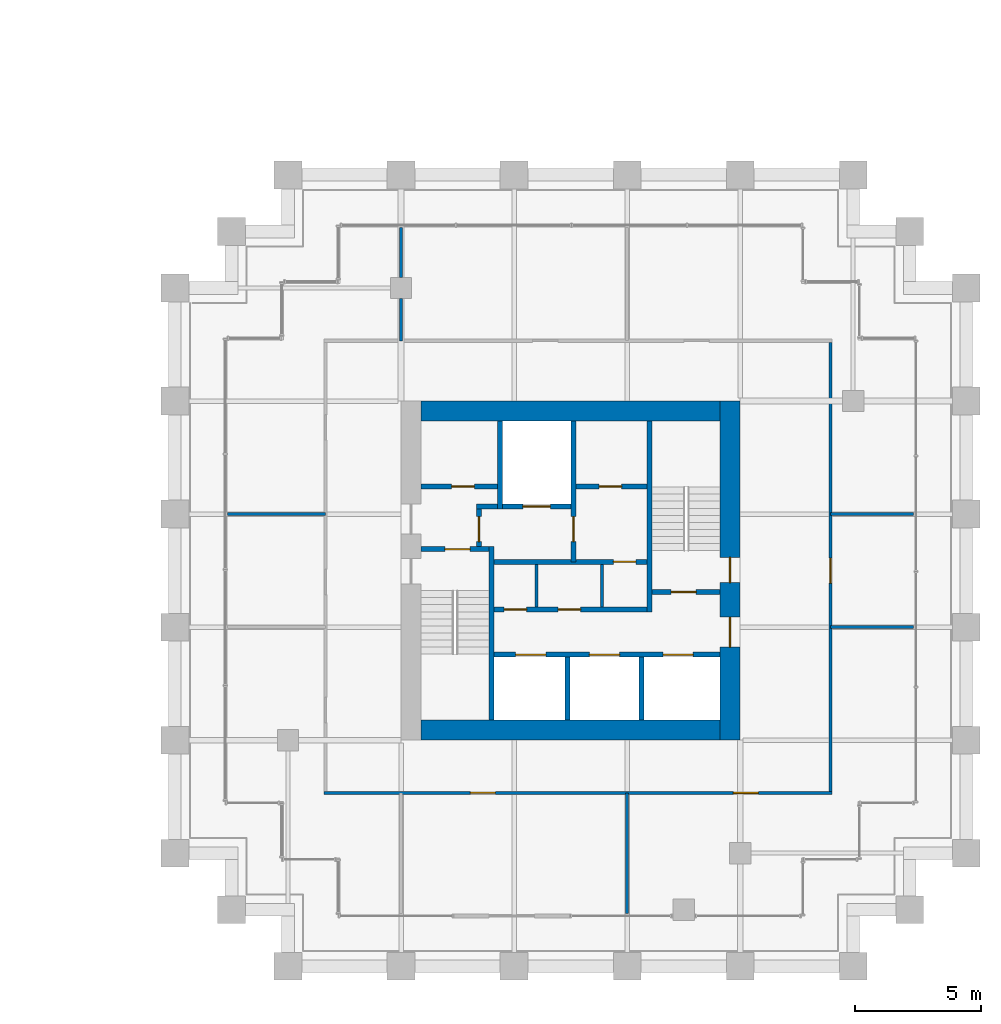
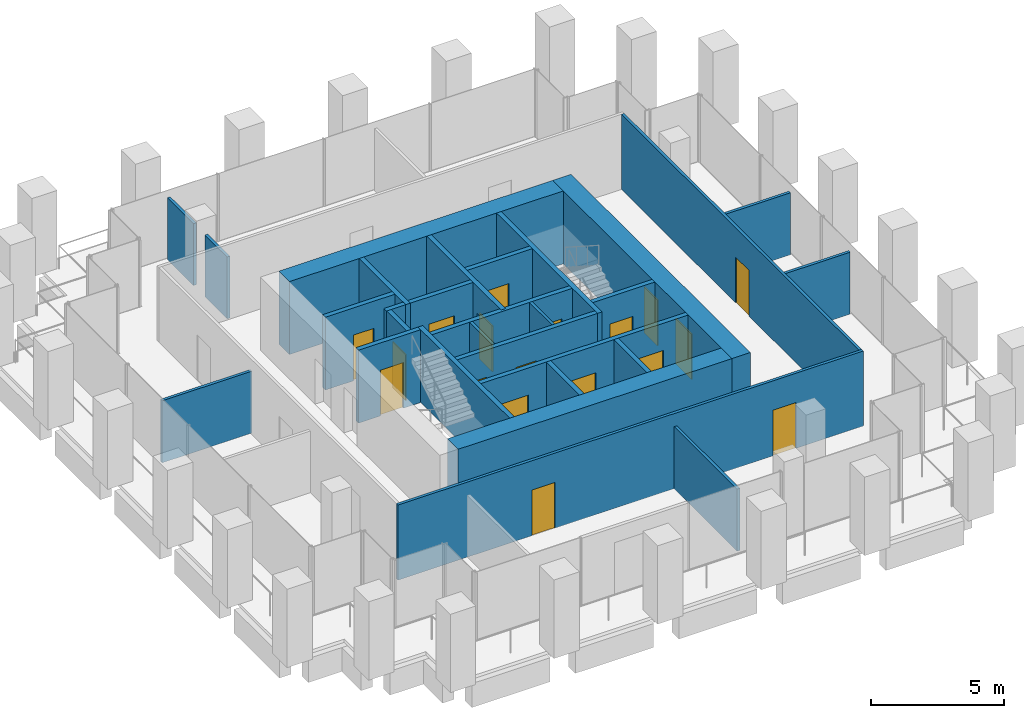
# One storey, part 53 of 56: 29 walls, 18 doors, 18 openings.
"""IFC4 building model written with IfcOpenShell, lengths in metres."""

from ifc_helpers import new_model, si_unit, direction, frame, frame_2d, origin, place, context, subcontext, project, spatial, rectangle, extrude, material, layer, layer_set, type_object, element, fill, save


model = new_model("IFC4")

# Units and contexts
model_context = context("Model", 3, precision=1e-05, world=origin(), true_north=direction((0.0, 1.0)))
body_context = subcontext(model_context, "Body", "Model", "MODEL_VIEW")
ifc_project = project(units=[si_unit("LENGTHUNIT", "METRE"), si_unit("AREAUNIT", "SQUARE_METRE"), si_unit("VOLUMEUNIT", "CUBIC_METRE"), si_unit("PLANEANGLEUNIT", "RADIAN"), si_unit("MASSUNIT", "GRAM", prefix="KILO")], contexts=[model_context])

# Site, building, storey
site_placement = place(None, origin())
site = spatial("IfcSite", under=ifc_project, at=site_placement, CompositionType="ELEMENT")
building_placement = place(site_placement, origin())
building = spatial("IfcBuilding", under=site, at=building_placement, Name="Altepetl Exchange Towers", CompositionType="ELEMENT")
storey_placement = place(building_placement, frame((0.0, 0.0, 69.0)))
storey = spatial("IfcBuildingStorey", under=building, at=storey_placement, Name="L16", CompositionType="ELEMENT", Elevation=69.0)

# Wall, openings, doors
ifc_material_1 = material(Name="Concrete C70/85", Category="concrete")
ifc_layer_1 = layer(ifc_material_1, 0.800048828125)
ifc_layer_set_1 = layer_set([ifc_layer_1], Name="Concrete C70/85")
wall_type_1 = type_object("IfcWallType", Name="Core wall 800 reinforced concrete", PredefinedType="SHEAR", material=ifc_layer_set_1)
wall_1_placement = place(storey_placement, frame((116.60009765625, 36.0, 0.0), z_axis=(0.0, 0.0, 1.0), x_axis=(0.0, 1.0, 0.0)))
wall_1 = element("IfcWall", 1, at=wall_1_placement, inside=storey, type_object=wall_type_1, Name="wall:B:L16:K-coreE", PredefinedType="SHEAR", context=body_context, shape_type="SweptSolid", body=[
    extrude(rectangle(XDim=13.5, YDim=0.800048828125, at=frame_2d((6.75, 0.0))), origin(), (0.0, 0.0, 1.0), 3.35009765625),
])
opening_1_placement = place(wall_1_placement, frame((3.699951171875, 0.0, 0.0)))
opening_1 = element("IfcOpeningElement", 2, at=opening_1_placement, cuts=wall_1, Name="Opening L16.B61", PredefinedType="OPENING", context=body_context, shape_type="SweptSolid", body=[
    extrude(rectangle(XDim=1.199951171875, YDim=2.10009765625, at=frame_2d((0.60009765625, 1.050048828125))), frame((0.0, 0.41015625, 0.0), z_axis=(0.0, -1.0, 0.0), x_axis=(1.0, 0.0, 0.0)), (0.0, 0.0, 1.0), 0.820068359375),
])
opening_2_placement = place(wall_1_placement, frame((6.27490234375, 0.0, 0.0)))
opening_2 = element("IfcOpeningElement", 3, at=opening_2_placement, cuts=wall_1, Name="Opening L16.B65", PredefinedType="OPENING", context=body_context, shape_type="SweptSolid", body=[
    extrude(rectangle(XDim=1.0, YDim=2.10009765625, at=frame_2d((0.5, 1.050048828125))), frame((0.0, 0.41015625, 0.0), z_axis=(0.0, -1.0, 0.0), x_axis=(1.0, 0.0, 0.0)), (0.0, 0.0, 1.0), 0.820068359375),
])
ifc_material_2 = material(Name="Steel and timber fire door", Category="steel")
door_type_1 = type_object("IfcDoorType", Name="Fire door 1000 x 2100 stair and lobby", OperationType="SINGLE_SWING_LEFT", PredefinedType="DOOR", material=ifc_material_2)
door_1_placement = place(opening_2_placement, origin())
door_1 = element("IfcDoor", 4, at=door_1_placement, inside=storey, type_object=door_type_1, Name="door:B:L16:K-dS2x", OperationType="SINGLE_SWING_LEFT", OverallHeight=2.10009765625, OverallWidth=1.0, PredefinedType="DOOR", context=body_context, shape_type="SweptSolid", body=[
    extrude(rectangle(XDim=1.0, YDim=2.10009765625, at=frame_2d((0.5, 1.050048828125))), frame((0.0, 0.02490234375, 0.0), z_axis=(0.0, -1.0, 0.0), x_axis=(1.0, 0.0, 0.0)), (0.0, 0.0, 1.0), 0.050048828125),
])
fill(opening_2, door_1)
door_type_2 = type_object("IfcDoorType", Name="Fire door 1200 x 2100 lobby entry", OperationType="SINGLE_SWING_LEFT", PredefinedType="DOOR", material=ifc_material_2)
door_2_placement = place(opening_1_placement, origin())
door_2 = element("IfcDoor", 5, at=door_2_placement, inside=storey, type_object=door_type_2, Name="door:B:L16:K-dLSE", OperationType="SINGLE_SWING_RIGHT", OverallHeight=2.10009765625, OverallWidth=1.199951171875, PredefinedType="DOOR", context=body_context, shape_type="SweptSolid", body=[
    extrude(rectangle(XDim=1.199951171875, YDim=2.10009765625, at=frame_2d((0.60009765625, 1.050048828125))), frame((0.0, 0.02490234375, 0.0), z_axis=(0.0, -1.0, 0.0), x_axis=(1.0, 0.0, 0.0)), (0.0, 0.0, 1.0), 0.050048828125),
])
fill(opening_1, door_2)

# Walls
for number, where, name in (
    (6, (104.300048828125, 49.10009765625, 0.0), "wall:B:L16:K-coreN"),
    (7, (104.300048828125, 36.39990234375, 0.0), "wall:B:L16:K-coreS"),
):
    element("IfcWall", number, at=place(storey_placement, frame(where)), inside=storey, type_object=wall_type_1, Name=name, PredefinedType="SHEAR", context=body_context, shape_type="SweptSolid", body=[
        extrude(rectangle(XDim=11.89990234375, YDim=0.800048828125, at=frame_2d((5.949951171875, 0.0))), origin(), (0.0, 0.0, 1.0), 3.35009765625),
    ])
ifc_material_3 = material(Name="Concrete blockwork", Category="masonry")
ifc_layer_2 = layer(ifc_material_3, 0.199951171875)
ifc_layer_set_2 = layer_set([ifc_layer_2], Name="Concrete blockwork")
wall_type_2 = type_object("IfcWallType", Name="Lobby wall 200 blockwork", PredefinedType="PARTITIONING", material=ifc_layer_set_2)
wall_2_placement = place(storey_placement, frame((106.5, 45.300048828125, 0.0)))
element("IfcWall", 8, at=wall_2_placement, inside=storey, type_object=wall_type_2, Name="wall:B:L16:K-ffNw", PredefinedType="PARTITIONING", context=body_context, shape_type="SweptSolid", body=[
    extrude(rectangle(XDim=0.833251953125, YDim=0.199951171875, at=frame_2d((0.41650390625, 0.0))), origin(), (0.0, 0.0, 1.0), 3.35009765625),
])

# Wall, opening, door
wall_3_placement = place(storey_placement, frame((106.60009765625, 43.699951171875, 0.0), z_axis=(0.0, 0.0, 1.0), x_axis=(0.0, 1.0, 0.0)))
wall_3 = element("IfcWall", 9, at=wall_3_placement, inside=storey, type_object=wall_type_2, Name="wall:B:L16:K-ffW", PredefinedType="PARTITIONING", context=body_context, shape_type="SweptSolid", body=[
    extrude(rectangle(XDim=1.5, YDim=0.199951171875, at=frame_2d((0.75, 0.0))), origin(), (0.0, 0.0, 1.0), 3.35009765625),
])
opening_3_placement = place(wall_3_placement, frame((0.199951171875, 0.0, 0.0)))
opening_3 = element("IfcOpeningElement", 10, at=opening_3_placement, cuts=wall_3, Name="Opening L16.B67", PredefinedType="OPENING", context=body_context, shape_type="SweptSolid", body=[
    extrude(rectangle(XDim=1.0, YDim=2.10009765625, at=frame_2d((0.5, 1.050048828125))), frame((0.0, 0.10986328125, 0.0), z_axis=(0.0, -1.0, 0.0), x_axis=(1.0, 0.0, 0.0)), (0.0, 0.0, 1.0), 0.219970703125),
])
door_3_placement = place(opening_3_placement, frame((1.0, 0.0, 0.0), x_axis=(-1.0, 0.0, 0.0)))
door_3 = element("IfcDoor", 11, at=door_3_placement, inside=storey, type_object=door_type_1, Name="door:B:L16:K-dffW", OperationType="SINGLE_SWING_LEFT", OverallHeight=2.10009765625, OverallWidth=1.0, PredefinedType="DOOR", context=body_context, shape_type="SweptSolid", body=[
    extrude(rectangle(XDim=1.0, YDim=2.10009765625, at=frame_2d((0.5, 1.050048828125))), frame((0.0, 0.02490234375, 0.0), z_axis=(0.0, -1.0, 0.0), x_axis=(1.0, 0.0, 0.0)), (0.0, 0.0, 1.0), 0.050048828125),
])
fill(opening_3, door_3)

wall_4_placement = place(storey_placement, frame((107.199951171875, 43.10009765625, 0.0)))
wall_4 = element("IfcWall", 12, at=wall_4_placement, inside=storey, type_object=wall_type_2, Name="wall:B:L16:K-zoneN", PredefinedType="PARTITIONING", context=body_context, shape_type="SweptSolid", body=[
    extrude(rectangle(XDim=6.10009765625, YDim=0.199951171875, at=frame_2d((3.050048828125, 0.0))), origin(), (0.0, 0.0, 1.0), 3.35009765625),
])
opening_4_placement = place(wall_4_placement, frame((4.75, 0.0, 0.0)))
opening_4 = element("IfcOpeningElement", 13, at=opening_4_placement, cuts=wall_4, Name="Opening L16.B72", PredefinedType="OPENING", context=body_context, shape_type="SweptSolid", body=[
    extrude(rectangle(XDim=0.89990234375, YDim=2.10009765625, at=frame_2d((0.449951171875, 1.050048828125))), frame((0.0, 0.10986328125, 0.0), z_axis=(0.0, -1.0, 0.0), x_axis=(1.0, 0.0, 0.0)), (0.0, 0.0, 1.0), 0.219970703125),
])
door_type_3 = type_object("IfcDoorType", Name="Fire door 900 x 2100 service room", OperationType="SINGLE_SWING_LEFT", PredefinedType="DOOR", material=ifc_material_2)
door_4_placement = place(opening_4_placement, frame((0.89990234375, 0.0, 0.0), x_axis=(-1.0, 0.0, 0.0)))
door_4 = element("IfcDoor", 14, at=door_4_placement, inside=storey, type_object=door_type_3, Name="door:B:L16:K-dz3", OperationType="SINGLE_SWING_RIGHT", OverallHeight=2.10009765625, OverallWidth=0.89990234375, PredefinedType="DOOR", context=body_context, shape_type="SweptSolid", body=[
    extrude(rectangle(XDim=0.89990234375, YDim=2.10009765625, at=frame_2d((0.449951171875, 1.050048828125))), frame((0.0, 0.02490234375, 0.0), z_axis=(0.0, -1.0, 0.0), x_axis=(1.0, 0.0, 0.0)), (0.0, 0.0, 1.0), 0.050048828125),
])
fill(opening_4, door_4)

# Wall, openings, doors
wall_5_placement = place(storey_placement, frame((107.199951171875, 41.199951171875, 0.0)))
wall_5 = element("IfcWall", 15, at=wall_5_placement, inside=storey, type_object=wall_type_2, Name="wall:B:L16:K-zoneS", PredefinedType="PARTITIONING", context=body_context, shape_type="SweptSolid", body=[
    extrude(rectangle(XDim=6.10009765625, YDim=0.199951171875, at=frame_2d((3.050048828125, 0.0))), origin(), (0.0, 0.0, 1.0), 3.35009765625),
])
opening_5_placement = place(wall_5_placement, frame((0.39990234375, 0.0, 0.0)))
opening_5 = element("IfcOpeningElement", 16, at=opening_5_placement, cuts=wall_5, Name="Opening L16.B70", PredefinedType="OPENING", context=body_context, shape_type="SweptSolid", body=[
    extrude(rectangle(XDim=0.89990234375, YDim=2.10009765625, at=frame_2d((0.449951171875, 1.050048828125))), frame((0.0, 0.10986328125, 0.0), z_axis=(0.0, -1.0, 0.0), x_axis=(1.0, 0.0, 0.0)), (0.0, 0.0, 1.0), 0.219970703125),
])
opening_6_placement = place(wall_5_placement, frame((2.550048828125, 0.0, 0.0)))
opening_6 = element("IfcOpeningElement", 17, at=opening_6_placement, cuts=wall_5, Name="Opening L16.B71", PredefinedType="OPENING", context=body_context, shape_type="SweptSolid", body=[
    extrude(rectangle(XDim=0.89990234375, YDim=2.10009765625, at=frame_2d((0.449951171875, 1.050048828125))), frame((0.0, 0.10986328125, 0.0), z_axis=(0.0, -1.0, 0.0), x_axis=(1.0, 0.0, 0.0)), (0.0, 0.0, 1.0), 0.219970703125),
])
door_5_placement = place(opening_5_placement, origin())
door_5 = element("IfcDoor", 18, at=door_5_placement, inside=storey, type_object=door_type_3, Name="door:B:L16:K-dz1", OperationType="SINGLE_SWING_RIGHT", OverallHeight=2.10009765625, OverallWidth=0.89990234375, PredefinedType="DOOR", context=body_context, shape_type="SweptSolid", body=[
    extrude(rectangle(XDim=0.89990234375, YDim=2.10009765625, at=frame_2d((0.449951171875, 1.050048828125))), frame((0.0, 0.02490234375, 0.0), z_axis=(0.0, -1.0, 0.0), x_axis=(1.0, 0.0, 0.0)), (0.0, 0.0, 1.0), 0.050048828125),
])
fill(opening_5, door_5)
door_6_placement = place(opening_6_placement, origin())
door_6 = element("IfcDoor", 19, at=door_6_placement, inside=storey, type_object=door_type_3, Name="door:B:L16:K-dz2", OperationType="SINGLE_SWING_LEFT", OverallHeight=2.10009765625, OverallWidth=0.89990234375, PredefinedType="DOOR", context=body_context, shape_type="SweptSolid", body=[
    extrude(rectangle(XDim=0.89990234375, YDim=2.10009765625, at=frame_2d((0.449951171875, 1.050048828125))), frame((0.0, 0.02490234375, 0.0), z_axis=(0.0, -1.0, 0.0), x_axis=(1.0, 0.0, 0.0)), (0.0, 0.0, 1.0), 0.050048828125),
])
fill(opening_6, door_6)

# Walls
ifc_material_4 = material(Name="Gypsum board on steel studs", Category="steel")
ifc_layer_3 = layer(ifc_material_4, 0.125)
ifc_layer_set_3 = layer_set([ifc_layer_3], Name="Gypsum board on steel studs")
wall_type_3 = type_object("IfcWallType", Name="Partition 125 gypsum board on steel studs", PredefinedType="PARTITIONING", material=ifc_layer_set_3)
for number, where, z_axis, x_axis, name in (
    (20, (108.89990234375, 41.300048828125, 0.0), (0.0, 0.0, 1.0), (0.0, 1.0, 0.0), "wall:B:L16:K-zp1"),
    (21, (111.5, 41.300048828125, 0.0), (0.0, 0.0, 1.0), (0.0, 1.0, 0.0), "wall:B:L16:K-zp2"),
):
    element("IfcWall", number, at=place(storey_placement, frame(where, z_axis=z_axis, x_axis=x_axis)), inside=storey, type_object=wall_type_3, Name=name, PredefinedType="PARTITIONING", context=body_context, shape_type="SweptSolid", body=[
        extrude(rectangle(XDim=1.699951171875, YDim=0.125, at=frame_2d((0.85009765625, 0.0))), origin(), (0.0, 0.0, 1.0), 3.35009765625),
    ])

# Wall, openings, doors
wall_6_placement = place(storey_placement, frame((100.4375, 33.89990234375, 0.0)))
wall_6 = element("IfcWall", 22, at=wall_6_placement, inside=storey, type_object=wall_type_3, Name="wall:B:L16:P01", PredefinedType="PARTITIONING", context=body_context, shape_type="SweptSolid", body=[
    extrude(rectangle(XDim=20.22509765625, YDim=0.125, at=frame_2d((10.112548828125, 0.0))), origin(), (0.0, 0.0, 1.0), 3.449951171875),
])
opening_7_placement = place(wall_6_placement, frame((5.819580078125, 0.0, 0.0)))
opening_7 = element("IfcOpeningElement", 23, at=opening_7_placement, cuts=wall_6, Name="Opening L16.B02", PredefinedType="OPENING", context=body_context, shape_type="SweptSolid", body=[
    extrude(rectangle(XDim=1.0, YDim=2.10009765625, at=frame_2d((0.5, 1.050048828125))), frame((0.0, 0.072509765625, 0.0), z_axis=(0.0, -1.0, 0.0), x_axis=(1.0, 0.0, 0.0)), (0.0, 0.0, 1.0), 0.14501953125),
])
opening_8_placement = place(wall_6_placement, frame((16.29248046875, 0.0, 0.0)))
opening_8 = element("IfcOpeningElement", 24, at=opening_8_placement, cuts=wall_6, Name="Opening L16.B03", PredefinedType="OPENING", context=body_context, shape_type="SweptSolid", body=[
    extrude(rectangle(XDim=1.0, YDim=2.10009765625, at=frame_2d((0.5, 1.050048828125))), frame((0.0, 0.072509765625, 0.0), z_axis=(0.0, -1.0, 0.0), x_axis=(1.0, 0.0, 0.0)), (0.0, 0.0, 1.0), 0.14501953125),
])
door_type_4 = type_object("IfcDoorType", Name="Fire door 1000 x 2100 single leaf", OperationType="SINGLE_SWING_LEFT", PredefinedType="DOOR", material=ifc_material_2)
door_7_placement = place(opening_7_placement, frame((1.0, 0.0, 0.0), x_axis=(-1.0, 0.0, 0.0)))
door_7 = element("IfcDoor", 25, at=door_7_placement, inside=storey, type_object=door_type_4, Name="door:B:L16:02", OperationType="SINGLE_SWING_RIGHT", OverallHeight=2.10009765625, OverallWidth=1.0, PredefinedType="DOOR", context=body_context, shape_type="SweptSolid", body=[
    extrude(rectangle(XDim=1.0, YDim=2.10009765625, at=frame_2d((0.5, 1.050048828125))), frame((0.0, 0.02490234375, 0.0), z_axis=(0.0, -1.0, 0.0), x_axis=(1.0, 0.0, 0.0)), (0.0, 0.0, 1.0), 0.050048828125),
])
fill(opening_7, door_7)
door_8_placement = place(opening_8_placement, origin())
door_8 = element("IfcDoor", 26, at=door_8_placement, inside=storey, type_object=door_type_4, Name="door:B:L16:03", OperationType="SINGLE_SWING_RIGHT", OverallHeight=2.10009765625, OverallWidth=1.0, PredefinedType="DOOR", context=body_context, shape_type="SweptSolid", body=[
    extrude(rectangle(XDim=1.0, YDim=2.10009765625, at=frame_2d((0.5, 1.050048828125))), frame((0.0, 0.02490234375, 0.0), z_axis=(0.0, -1.0, 0.0), x_axis=(1.0, 0.0, 0.0)), (0.0, 0.0, 1.0), 0.050048828125),
])
fill(opening_8, door_8)

# Walls
wall_7_placement = place(storey_placement, frame((120.60009765625, 40.5, 0.0)))
element("IfcWall", 27, at=wall_7_placement, inside=storey, type_object=wall_type_3, Name="wall:B:L16:P03", PredefinedType="PARTITIONING", context=body_context, shape_type="SweptSolid", body=[
    extrude(rectangle(XDim=3.2998046875, YDim=0.125, at=frame_2d((1.64990234375, 0.0))), origin(), (0.0, 0.0, 1.0), 2.85107421875),
])
wall_8_placement = place(storey_placement, frame((96.60009765625, 45.0, 0.0)))
element("IfcWall", 28, at=wall_8_placement, inside=storey, type_object=wall_type_3, Name="wall:B:L16:P04", PredefinedType="PARTITIONING", context=body_context, shape_type="SweptSolid", body=[
    extrude(rectangle(XDim=3.89990234375, YDim=0.125, at=frame_2d((1.949951171875, 0.0))), origin(), (0.0, 0.0, 1.0), 2.85107421875),
])
wall_9_placement = place(storey_placement, frame((120.60009765625, 45.0, 0.0)))
element("IfcWall", 29, at=wall_9_placement, inside=storey, type_object=wall_type_3, Name="wall:B:L16:P05", PredefinedType="PARTITIONING", context=body_context, shape_type="SweptSolid", body=[
    extrude(rectangle(XDim=3.2998046875, YDim=0.125, at=frame_2d((1.64990234375, 0.0))), origin(), (0.0, 0.0, 1.0), 2.85107421875),
])
wall_10_placement = place(storey_placement, frame((103.5, 51.89990234375, 0.0), z_axis=(0.0, 0.0, 1.0), x_axis=(0.0, 1.0, 0.0)))
element("IfcWall", 30, at=wall_10_placement, inside=storey, type_object=wall_type_3, Name="wall:B:L16:P09", PredefinedType="PARTITIONING", context=body_context, shape_type="SweptSolid", body=[
    extrude(rectangle(XDim=1.675048828125, YDim=0.125, at=frame_2d((0.83740234375, 0.0))), origin(), (0.0, 0.0, 1.0), 2.842041015625),
])
wall_11_placement = place(storey_placement, frame((103.5, 54.425048828125, 0.0), z_axis=(0.0, 0.0, 1.0), x_axis=(0.0, 1.0, 0.0)))
element("IfcWall", 31, at=wall_11_placement, inside=storey, type_object=wall_type_3, Name="wall:B:L16:P10", PredefinedType="PARTITIONING", context=body_context, shape_type="SweptSolid", body=[
    extrude(rectangle(XDim=1.974853515625, YDim=0.125, at=frame_2d((0.9873046875, 0.0))), origin(), (0.0, 0.0, 1.0), 2.842041015625),
])
wall_12_placement = place(storey_placement, frame((112.5, 29.10009765625, 0.0), z_axis=(0.0, 0.0, 1.0), x_axis=(0.0, 1.0, 0.0)))
element("IfcWall", 32, at=wall_12_placement, inside=storey, type_object=wall_type_3, Name="wall:B:L16:P11", PredefinedType="PARTITIONING", context=body_context, shape_type="SweptSolid", body=[
    extrude(rectangle(XDim=4.7998046875, YDim=0.125, at=frame_2d((2.39990234375, 0.0))), origin(), (0.0, 0.0, 1.0), 2.85107421875),
])

# Wall, opening, door
wall_13_placement = place(storey_placement, frame((120.60009765625, 33.96240234375, 0.0), z_axis=(0.0, 0.0, 1.0), x_axis=(0.0, 1.0, 0.0)))
wall_13 = element("IfcWall", 33, at=wall_13_placement, inside=storey, type_object=wall_type_3, Name="wall:B:L16:P13", PredefinedType="PARTITIONING", context=body_context, shape_type="SweptSolid", body=[
    extrude(rectangle(XDim=17.875, YDim=0.125, at=frame_2d((8.9375, 0.0))), origin(), (0.0, 0.0, 1.0), 3.449951171875),
])
opening_9_placement = place(wall_13_placement, frame((8.28759765625, 0.0, 0.0)))
opening_9 = element("IfcOpeningElement", 34, at=opening_9_placement, cuts=wall_13, Name="Opening L16.B04", PredefinedType="OPENING", context=body_context, shape_type="SweptSolid", body=[
    extrude(rectangle(XDim=1.0, YDim=2.10009765625, at=frame_2d((0.5, 1.050048828125))), frame((0.0, 0.072509765625, 0.0), z_axis=(0.0, -1.0, 0.0), x_axis=(1.0, 0.0, 0.0)), (0.0, 0.0, 1.0), 0.14501953125),
])
door_9_placement = place(opening_9_placement, frame((1.0, 0.0, 0.0), x_axis=(-1.0, 0.0, 0.0)))
door_9 = element("IfcDoor", 35, at=door_9_placement, inside=storey, type_object=door_type_4, Name="door:B:L16:04", OperationType="SINGLE_SWING_RIGHT", OverallHeight=2.10009765625, OverallWidth=1.0, PredefinedType="DOOR", context=body_context, shape_type="SweptSolid", body=[
    extrude(rectangle(XDim=1.0, YDim=2.10009765625, at=frame_2d((0.5, 1.050048828125))), frame((0.0, 0.02490234375, 0.0), z_axis=(0.0, -1.0, 0.0), x_axis=(1.0, 0.0, 0.0)), (0.0, 0.0, 1.0), 0.050048828125),
])
fill(opening_9, door_9)

# Wall
ifc_material_5 = material(Name="Concrete C40/50", Category="concrete")
ifc_layer_4 = layer(ifc_material_5, 0.199951171875)
ifc_layer_set_4 = layer_set([ifc_layer_4], Name="Concrete C40/50")
wall_type_4 = type_object("IfcWallType", Name="Shaft wall 200 reinforced concrete", PredefinedType="SHEAR", material=ifc_layer_set_4)
wall_14_placement = place(storey_placement, frame((107.433349609375, 48.699951171875, 0.0), z_axis=(0.0, 0.0, 1.0), x_axis=(0.0, -1.0, 0.0)))
element("IfcWall", 36, at=wall_14_placement, inside=storey, type_object=wall_type_4, Name="wall:B:L16:K-divN1", PredefinedType="SHEAR", context=body_context, shape_type="SweptSolid", body=[
    extrude(rectangle(XDim=3.5, YDim=0.199951171875, at=frame_2d((1.75, 0.0))), origin(), (0.0, 0.0, 1.0), 3.35009765625),
])

# Wall, opening, door
wall_15_placement = place(storey_placement, frame((110.36669921875, 48.699951171875, 0.0), z_axis=(0.0, 0.0, 1.0), x_axis=(0.0, -1.0, 0.0)))
wall_15 = element("IfcWall", 37, at=wall_15_placement, inside=storey, type_object=wall_type_4, Name="wall:B:L16:K-divN2", PredefinedType="SHEAR", context=body_context, shape_type="SweptSolid", body=[
    extrude(rectangle(XDim=5.599853515625, YDim=0.199951171875, at=frame_2d((2.7998046875, 0.0))), origin(), (0.0, 0.0, 1.0), 3.35009765625),
])
opening_10_placement = place(wall_15_placement, frame((3.800048828125, 0.0, 0.0)))
opening_10 = element("IfcOpeningElement", 38, at=opening_10_placement, cuts=wall_15, Name="Opening L16.B66", PredefinedType="OPENING", context=body_context, shape_type="SweptSolid", body=[
    extrude(rectangle(XDim=1.0, YDim=2.10009765625, at=frame_2d((0.5, 1.050048828125))), frame((0.0, 0.10986328125, 0.0), z_axis=(0.0, -1.0, 0.0), x_axis=(1.0, 0.0, 0.0)), (0.0, 0.0, 1.0), 0.219970703125),
])
door_10_placement = place(opening_10_placement, frame((1.0, 0.0, 0.0), x_axis=(-1.0, 0.0, 0.0)))
door_10 = element("IfcDoor", 39, at=door_10_placement, inside=storey, type_object=door_type_1, Name="door:B:L16:K-dffE", OperationType="SINGLE_SWING_RIGHT", OverallHeight=2.10009765625, OverallWidth=1.0, PredefinedType="DOOR", context=body_context, shape_type="SweptSolid", body=[
    extrude(rectangle(XDim=1.0, YDim=2.10009765625, at=frame_2d((0.5, 1.050048828125))), frame((0.0, 0.02490234375, 0.0), z_axis=(0.0, -1.0, 0.0), x_axis=(1.0, 0.0, 0.0)), (0.0, 0.0, 1.0), 0.050048828125),
])
fill(opening_10, door_10)

# Walls
for number, where, z_axis, x_axis, name in (
    (40, (110.13330078125, 36.800048828125, 0.0), (0.0, 0.0, 1.0), (0.0, 1.0, 0.0), "wall:B:L16:K-divS1"),
    (41, (113.066650390625, 36.800048828125, 0.0), (0.0, 0.0, 1.0), (0.0, 1.0, 0.0), "wall:B:L16:K-divS2"),
):
    element("IfcWall", number, at=place(storey_placement, frame(where, z_axis=z_axis, x_axis=x_axis)), inside=storey, type_object=wall_type_4, Name=name, PredefinedType="SHEAR", context=body_context, shape_type="SweptSolid", body=[
        extrude(rectangle(XDim=2.5, YDim=0.199951171875, at=frame_2d((1.25, 0.0))), origin(), (0.0, 0.0, 1.0), 3.35009765625),
    ])

# Wall, opening, door
wall_16_placement = place(storey_placement, frame((104.300048828125, 46.10009765625, 0.0)))
wall_16 = element("IfcWall", 42, at=wall_16_placement, inside=storey, type_object=wall_type_4, Name="wall:B:L16:K-frontNa", PredefinedType="SHEAR", context=body_context, shape_type="SweptSolid", body=[
    extrude(rectangle(XDim=3.033203125, YDim=0.199951171875, at=frame_2d((1.5166015625, 0.0))), origin(), (0.0, 0.0, 1.0), 3.35009765625),
])
opening_11_placement = place(wall_16_placement, frame((1.216796875, 0.0, 0.0)))
opening_11 = element("IfcOpeningElement", 43, at=opening_11_placement, cuts=wall_16, Name="Opening L16.B68", PredefinedType="OPENING", context=body_context, shape_type="SweptSolid", body=[
    extrude(rectangle(XDim=0.89990234375, YDim=2.10009765625, at=frame_2d((0.449951171875, 1.050048828125))), frame((0.0, 0.10986328125, 0.0), z_axis=(0.0, -1.0, 0.0), x_axis=(1.0, 0.0, 0.0)), (0.0, 0.0, 1.0), 0.219970703125),
])
door_11_placement = place(opening_11_placement, origin())
door_11 = element("IfcDoor", 44, at=door_11_placement, inside=storey, type_object=door_type_3, Name="door:B:L16:K-dslotN0", OperationType="SINGLE_SWING_RIGHT", OverallHeight=2.10009765625, OverallWidth=0.89990234375, PredefinedType="DOOR", context=body_context, shape_type="SweptSolid", body=[
    extrude(rectangle(XDim=0.89990234375, YDim=2.10009765625, at=frame_2d((0.449951171875, 1.050048828125))), frame((0.0, 0.02490234375, 0.0), z_axis=(0.0, -1.0, 0.0), x_axis=(1.0, 0.0, 0.0)), (0.0, 0.0, 1.0), 0.050048828125),
])
fill(opening_11, door_11)

wall_17_placement = place(storey_placement, frame((110.466796875, 46.10009765625, 0.0)))
wall_17 = element("IfcWall", 45, at=wall_17_placement, inside=storey, type_object=wall_type_4, Name="wall:B:L16:K-frontNb", PredefinedType="SHEAR", context=body_context, shape_type="SweptSolid", body=[
    extrude(rectangle(XDim=2.833251953125, YDim=0.199951171875, at=frame_2d((1.41650390625, 0.0))), origin(), (0.0, 0.0, 1.0), 3.35009765625),
])
opening_12_placement = place(wall_17_placement, frame((0.91650390625, 0.0, 0.0)))
opening_12 = element("IfcOpeningElement", 46, at=opening_12_placement, cuts=wall_17, Name="Opening L16.B69", PredefinedType="OPENING", context=body_context, shape_type="SweptSolid", body=[
    extrude(rectangle(XDim=0.89990234375, YDim=2.10009765625, at=frame_2d((0.449951171875, 1.050048828125))), frame((0.0, 0.10986328125, 0.0), z_axis=(0.0, -1.0, 0.0), x_axis=(1.0, 0.0, 0.0)), (0.0, 0.0, 1.0), 0.219970703125),
])
door_12_placement = place(opening_12_placement, origin())
door_12 = element("IfcDoor", 47, at=door_12_placement, inside=storey, type_object=door_type_3, Name="door:B:L16:K-dslotN2", OperationType="SINGLE_SWING_RIGHT", OverallHeight=2.10009765625, OverallWidth=0.89990234375, PredefinedType="DOOR", context=body_context, shape_type="SweptSolid", body=[
    extrude(rectangle(XDim=0.89990234375, YDim=2.10009765625, at=frame_2d((0.449951171875, 1.050048828125))), frame((0.0, 0.02490234375, 0.0), z_axis=(0.0, -1.0, 0.0), x_axis=(1.0, 0.0, 0.0)), (0.0, 0.0, 1.0), 0.050048828125),
])
fill(opening_12, door_12)

wall_18_placement = place(storey_placement, frame((107.533203125, 45.300048828125, 0.0)))
wall_18 = element("IfcWall", 48, at=wall_18_placement, inside=storey, type_object=wall_type_4, Name="wall:B:L16:K-frontNd", PredefinedType="SHEAR", context=body_context, shape_type="SweptSolid", body=[
    extrude(rectangle(XDim=2.7333984375, YDim=0.199951171875, at=frame_2d((1.36669921875, 0.0))), origin(), (0.0, 0.0, 1.0), 3.35009765625),
])
opening_13_placement = place(wall_18_placement, frame((0.816650390625, 0.0, 0.0)))
opening_13 = element("IfcOpeningElement", 49, at=opening_13_placement, cuts=wall_18, Name="Opening L16.B73", PredefinedType="OPENING", context=body_context, shape_type="SweptSolid", body=[
    extrude(rectangle(XDim=1.10009765625, YDim=2.10009765625, at=frame_2d((0.550048828125, 1.050048828125))), frame((0.0, 0.10986328125, 0.0), z_axis=(0.0, -1.0, 0.0), x_axis=(1.0, 0.0, 0.0)), (0.0, 0.0, 1.0), 0.219970703125),
])
ifc_material_6 = material(Name="Stainless steel", Category="steel")
door_type_5 = type_object("IfcDoorType", Name="Lift landing door 1100 x 2100", OperationType="SLIDING_TO_LEFT", PredefinedType="DOOR", material=ifc_material_6)
door_13_placement = place(opening_13_placement, origin())
door_13 = element("IfcDoor", 50, at=door_13_placement, inside=storey, type_object=door_type_5, Name="Landing door FFL1", OperationType="SLIDING_TO_LEFT", OverallHeight=2.10009765625, OverallWidth=1.10009765625, PredefinedType="DOOR", context=body_context, shape_type="SweptSolid", body=[
    extrude(rectangle(XDim=1.10009765625, YDim=2.10009765625, at=frame_2d((0.550048828125, 1.050048828125))), frame((0.0, 0.02490234375, 0.0), z_axis=(0.0, -1.0, 0.0), x_axis=(1.0, 0.0, 0.0)), (0.0, 0.0, 1.0), 0.050048828125),
])
fill(opening_13, door_13)

# Wall, openings, doors
wall_19_placement = place(storey_placement, frame((107.199951171875, 39.39990234375, 0.0)))
wall_19 = element("IfcWall", 51, at=wall_19_placement, inside=storey, type_object=wall_type_4, Name="wall:B:L16:K-frontS", PredefinedType="SHEAR", context=body_context, shape_type="SweptSolid", body=[
    extrude(rectangle(XDim=9.0, YDim=0.199951171875, at=frame_2d((4.5, 0.0))), origin(), (0.0, 0.0, 1.0), 3.35009765625),
])
opening_14_placement = place(wall_19_placement, frame((0.86669921875, 0.0, 0.0)))
opening_14 = element("IfcOpeningElement", 52, at=opening_14_placement, cuts=wall_19, Name="Opening L16.B74", PredefinedType="OPENING", context=body_context, shape_type="SweptSolid", body=[
    extrude(rectangle(XDim=1.199951171875, YDim=2.10009765625, at=frame_2d((0.60009765625, 1.050048828125))), frame((0.0, 0.10986328125, 0.0), z_axis=(0.0, -1.0, 0.0), x_axis=(1.0, 0.0, 0.0)), (0.0, 0.0, 1.0), 0.219970703125),
])
opening_15_placement = place(wall_19_placement, frame((3.800048828125, 0.0, 0.0)))
opening_15 = element("IfcOpeningElement", 53, at=opening_15_placement, cuts=wall_19, Name="Opening L16.B75", PredefinedType="OPENING", context=body_context, shape_type="SweptSolid", body=[
    extrude(rectangle(XDim=1.199951171875, YDim=2.10009765625, at=frame_2d((0.60009765625, 1.050048828125))), frame((0.0, 0.10986328125, 0.0), z_axis=(0.0, -1.0, 0.0), x_axis=(1.0, 0.0, 0.0)), (0.0, 0.0, 1.0), 0.219970703125),
])
opening_16_placement = place(wall_19_placement, frame((6.7333984375, 0.0, 0.0)))
opening_16 = element("IfcOpeningElement", 54, at=opening_16_placement, cuts=wall_19, Name="Opening L16.B76", PredefinedType="OPENING", context=body_context, shape_type="SweptSolid", body=[
    extrude(rectangle(XDim=1.199951171875, YDim=2.10009765625, at=frame_2d((0.60009765625, 1.050048828125))), frame((0.0, 0.10986328125, 0.0), z_axis=(0.0, -1.0, 0.0), x_axis=(1.0, 0.0, 0.0)), (0.0, 0.0, 1.0), 0.219970703125),
])
door_type_6 = type_object("IfcDoorType", Name="Lift landing door 1200 x 2100", OperationType="SLIDING_TO_LEFT", PredefinedType="DOOR", material=ifc_material_6)
door_14_placement = place(opening_14_placement, origin())
door_14 = element("IfcDoor", 55, at=door_14_placement, inside=storey, type_object=door_type_6, Name="Landing door P1", OperationType="SLIDING_TO_LEFT", OverallHeight=2.10009765625, OverallWidth=1.199951171875, PredefinedType="DOOR", context=body_context, shape_type="SweptSolid", body=[
    extrude(rectangle(XDim=1.199951171875, YDim=2.10009765625, at=frame_2d((0.60009765625, 1.050048828125))), frame((0.0, 0.02490234375, 0.0), z_axis=(0.0, -1.0, 0.0), x_axis=(1.0, 0.0, 0.0)), (0.0, 0.0, 1.0), 0.050048828125),
])
fill(opening_14, door_14)
door_15_placement = place(opening_15_placement, origin())
door_15 = element("IfcDoor", 56, at=door_15_placement, inside=storey, type_object=door_type_6, Name="Landing door P2", OperationType="SLIDING_TO_LEFT", OverallHeight=2.10009765625, OverallWidth=1.199951171875, PredefinedType="DOOR", context=body_context, shape_type="SweptSolid", body=[
    extrude(rectangle(XDim=1.199951171875, YDim=2.10009765625, at=frame_2d((0.60009765625, 1.050048828125))), frame((0.0, 0.02490234375, 0.0), z_axis=(0.0, -1.0, 0.0), x_axis=(1.0, 0.0, 0.0)), (0.0, 0.0, 1.0), 0.050048828125),
])
fill(opening_15, door_15)
door_16_placement = place(opening_16_placement, origin())
door_16 = element("IfcDoor", 57, at=door_16_placement, inside=storey, type_object=door_type_6, Name="Landing door P3", OperationType="SLIDING_TO_LEFT", OverallHeight=2.10009765625, OverallWidth=1.199951171875, PredefinedType="DOOR", context=body_context, shape_type="SweptSolid", body=[
    extrude(rectangle(XDim=1.199951171875, YDim=2.10009765625, at=frame_2d((0.60009765625, 1.050048828125))), frame((0.0, 0.02490234375, 0.0), z_axis=(0.0, -1.0, 0.0), x_axis=(1.0, 0.0, 0.0)), (0.0, 0.0, 1.0), 0.050048828125),
])
fill(opening_16, door_16)

# Wall
ifc_layer_5 = layer(ifc_material_5, 0.199951171875)
ifc_layer_set_5 = layer_set([ifc_layer_5], Name="Concrete C40/50")
wall_type_5 = type_object("IfcWallType", Name="Stair wall 200 reinforced concrete", PredefinedType="SHEAR", material=ifc_layer_set_5)
wall_20_placement = place(storey_placement, frame((107.10009765625, 36.800048828125, 0.0), z_axis=(0.0, 0.0, 1.0), x_axis=(0.0, 1.0, 0.0)))
element("IfcWall", 58, at=wall_20_placement, inside=storey, type_object=wall_type_5, Name="wall:B:L16:K-stS1E", PredefinedType="SHEAR", context=body_context, shape_type="SweptSolid", body=[
    extrude(rectangle(XDim=6.89990234375, YDim=0.199951171875, at=frame_2d((3.449951171875, 0.0))), origin(), (0.0, 0.0, 1.0), 3.35009765625),
])

# Wall, opening, door
wall_21_placement = place(storey_placement, frame((104.300048828125, 43.60009765625, 0.0)))
wall_21 = element("IfcWall", 59, at=wall_21_placement, inside=storey, type_object=wall_type_5, Name="wall:B:L16:K-stS1N", PredefinedType="SHEAR", context=body_context, shape_type="SweptSolid", body=[
    extrude(rectangle(XDim=2.699951171875, YDim=0.199951171875, at=frame_2d((1.35009765625, 0.0))), origin(), (0.0, 0.0, 1.0), 3.35009765625),
])
opening_17_placement = place(wall_21_placement, frame((0.949951171875, 0.0, 0.0)))
opening_17 = element("IfcOpeningElement", 60, at=opening_17_placement, cuts=wall_21, Name="Opening L16.B62", PredefinedType="OPENING", context=body_context, shape_type="SweptSolid", body=[
    extrude(rectangle(XDim=1.0, YDim=2.10009765625, at=frame_2d((0.5, 1.050048828125))), frame((0.0, 0.10986328125, 0.0), z_axis=(0.0, -1.0, 0.0), x_axis=(1.0, 0.0, 0.0)), (0.0, 0.0, 1.0), 0.219970703125),
])
door_17_placement = place(opening_17_placement, frame((1.0, 0.0, 0.0), x_axis=(-1.0, 0.0, 0.0)))
door_17 = element("IfcDoor", 61, at=door_17_placement, inside=storey, type_object=door_type_1, Name="door:B:L16:K-dS1in", OperationType="SINGLE_SWING_LEFT", OverallHeight=2.10009765625, OverallWidth=1.0, PredefinedType="DOOR", context=body_context, shape_type="SweptSolid", body=[
    extrude(rectangle(XDim=1.0, YDim=2.10009765625, at=frame_2d((0.5, 1.050048828125))), frame((0.0, 0.02490234375, 0.0), z_axis=(0.0, -1.0, 0.0), x_axis=(1.0, 0.0, 0.0)), (0.0, 0.0, 1.0), 0.050048828125),
])
fill(opening_17, door_17)

wall_22_placement = place(storey_placement, frame((113.5, 41.89990234375, 0.0)))
wall_22 = element("IfcWall", 62, at=wall_22_placement, inside=storey, type_object=wall_type_5, Name="wall:B:L16:K-stS2S", PredefinedType="SHEAR", context=body_context, shape_type="SweptSolid", body=[
    extrude(rectangle(XDim=2.699951171875, YDim=0.199951171875, at=frame_2d((1.35009765625, 0.0))), origin(), (0.0, 0.0, 1.0), 3.35009765625),
])
opening_18_placement = place(wall_22_placement, frame((0.75, 0.0, 0.0)))
opening_18 = element("IfcOpeningElement", 63, at=opening_18_placement, cuts=wall_22, Name="Opening L16.B64", PredefinedType="OPENING", context=body_context, shape_type="SweptSolid", body=[
    extrude(rectangle(XDim=1.0, YDim=2.10009765625, at=frame_2d((0.5, 1.050048828125))), frame((0.0, 0.10986328125, 0.0), z_axis=(0.0, -1.0, 0.0), x_axis=(1.0, 0.0, 0.0)), (0.0, 0.0, 1.0), 0.219970703125),
])
door_18_placement = place(opening_18_placement, origin())
door_18 = element("IfcDoor", 64, at=door_18_placement, inside=storey, type_object=door_type_1, Name="door:B:L16:K-dS2in", OperationType="SINGLE_SWING_RIGHT", OverallHeight=2.10009765625, OverallWidth=1.0, PredefinedType="DOOR", context=body_context, shape_type="SweptSolid", body=[
    extrude(rectangle(XDim=1.0, YDim=2.10009765625, at=frame_2d((0.5, 1.050048828125))), frame((0.0, 0.02490234375, 0.0), z_axis=(0.0, -1.0, 0.0), x_axis=(1.0, 0.0, 0.0)), (0.0, 0.0, 1.0), 0.050048828125),
])
fill(opening_18, door_18)

# Wall
wall_23_placement = place(storey_placement, frame((113.39990234375, 41.10009765625, 0.0), z_axis=(0.0, 0.0, 1.0), x_axis=(0.0, 1.0, 0.0)))
element("IfcWall", 65, at=wall_23_placement, inside=storey, type_object=wall_type_5, Name="wall:B:L16:K-stS2W", PredefinedType="SHEAR", context=body_context, shape_type="SweptSolid", body=[
    extrude(rectangle(XDim=7.599853515625, YDim=0.199951171875, at=frame_2d((3.7998046875, 0.0))), origin(), (0.0, 0.0, 1.0), 3.35009765625),
])

save(model, "model.ifc")
